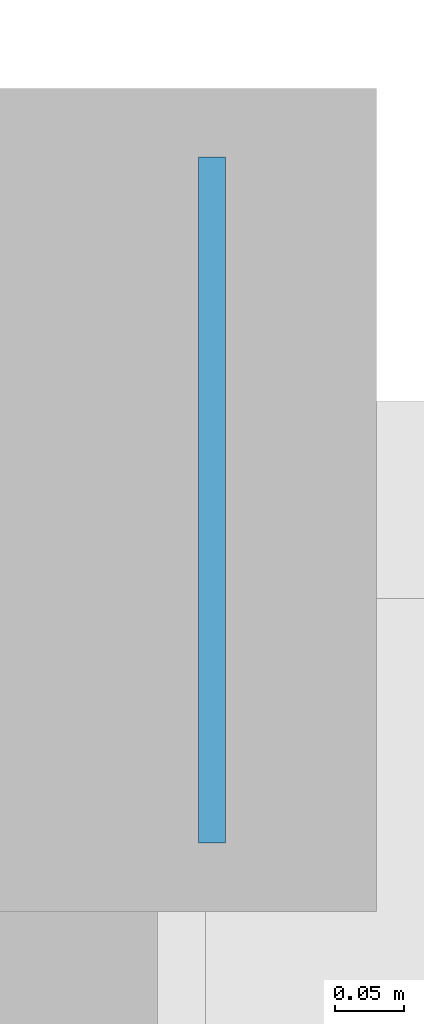
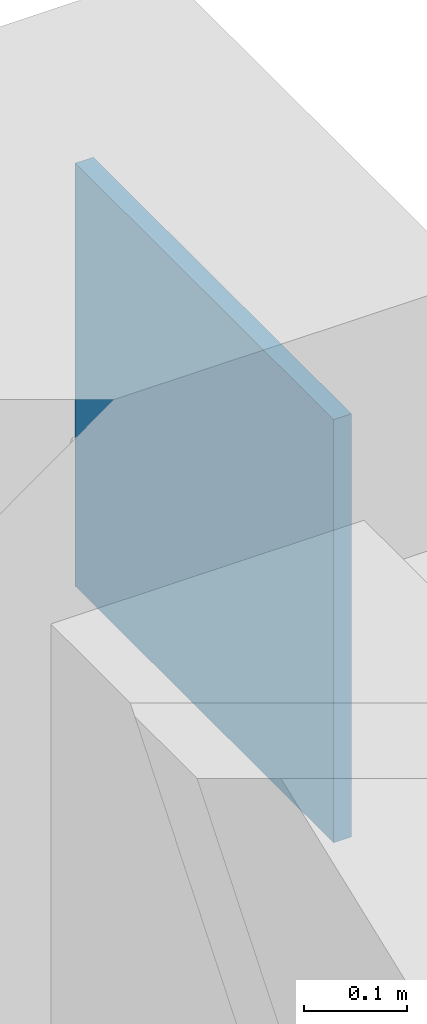
# One storey, part 31 of 37: 1 plate.
"""IFC4 building model written with IfcOpenShell, lengths in metres."""

from ifc_helpers import new_model, si_unit, direction, frame, origin, origin_2d, place, context, subcontext, project, spatial, rectangle, extrude, material, layer, layer_set, type_object, element, save


model = new_model("IFC4")

# Units and contexts
model_context = context("Model", 3, precision=1e-05, world=origin(), true_north=direction((0.0, 1.0)))
body_context = subcontext(model_context, "Body", "Model", "MODEL_VIEW")
ifc_project = project(units=[si_unit("LENGTHUNIT", "METRE"), si_unit("AREAUNIT", "SQUARE_METRE"), si_unit("VOLUMEUNIT", "CUBIC_METRE"), si_unit("PLANEANGLEUNIT", "RADIAN"), si_unit("MASSUNIT", "GRAM", prefix="KILO")], contexts=[model_context])

# Site, building, storey
site_placement = place(None, origin())
site = spatial("IfcSite", under=ifc_project, at=site_placement, CompositionType="ELEMENT")
building_placement = place(site_placement, origin())
building = spatial("IfcBuilding", under=site, at=building_placement, Name="Pandanus Reach Market Hall", CompositionType="ELEMENT")
storey_placement = place(building_placement, frame((0.0, 0.0, 14.39990234375)))
storey = spatial("IfcBuildingStorey", under=building, at=storey_placement, Name="L03", CompositionType="ELEMENT", Elevation=14.39990234375)

# Plate
ifc_material = material(Name="Steel Grade 350 (350 MPa)", Category="steel")
ifc_layer = layer(ifc_material, 0.02001953125, Name="GS-PL20")
ifc_layer_set = layer_set([ifc_layer], Name="Steel Grade 350 (350 MPa)")
plate_type = type_object("IfcPlateType", Name="GS-PL20", PredefinedType="SHEET", material=ifc_layer_set)
plate_placement = place(storey_placement, frame((180.179931640625, 76.800048828125, 3.550048828125), z_axis=(0.0, 0.0, 1.0), x_axis=(1.0, 0.0, 0.0)))
element("IfcPlate", 1, at=plate_placement, inside=storey, type_object=plate_type, Name="Diagrid rib end anchorage plate GS-PL20 6B", PredefinedType="SHEET", context=body_context, shape_type="SweptSolid", body=[
    extrude(rectangle(XDim=0.02001953125, YDim=0.5, at=origin_2d()), origin(), (0.0, 0.0, 1.0), 0.5),
])

save(model, "model.ifc")
